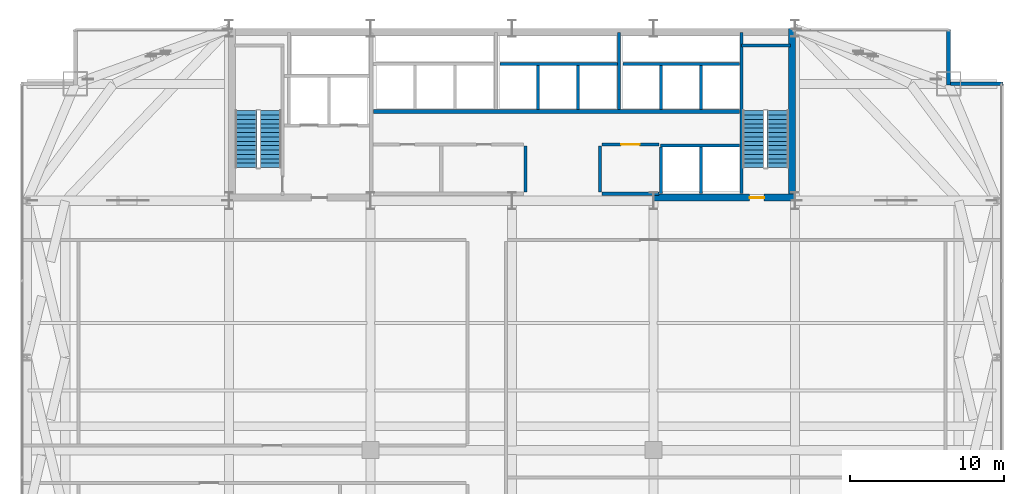
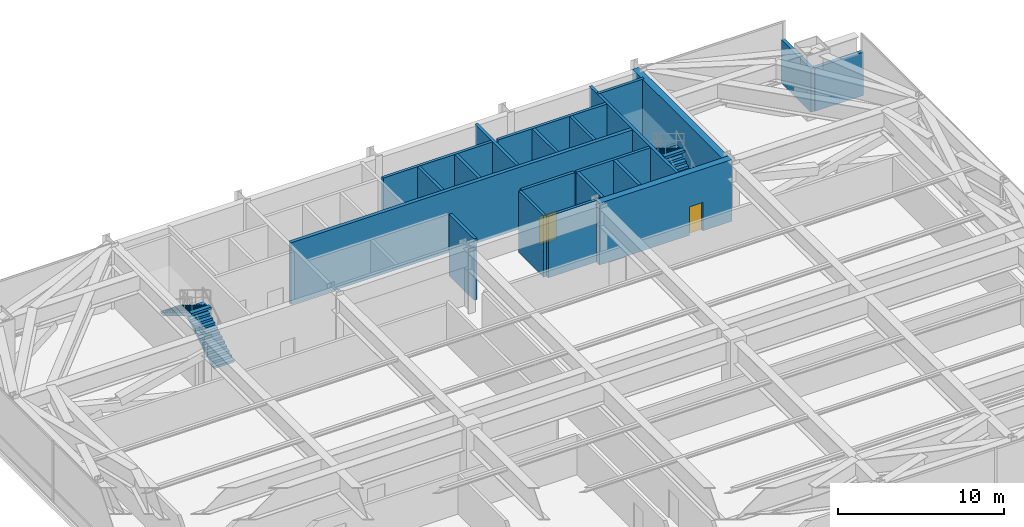
# One storey, part 29 of 30: 21 walls, 4 stair flights, 2 doors, 2 openings, 2 elements without a shape of their own.
"""IFC4 building model written with IfcOpenShell, lengths in metres."""

from ifc_helpers import new_model, si_unit, direction, frame, frame_2d, origin, place, context, subcontext, project, spatial, polyline, rectangle, outline, extrude, source, transform, mapped, material, layer, layer_set, type_object, type_shapes, element, fill, aggregate, save


model = new_model("IFC4")

# Units and contexts
model_context = context("Model", 3, precision=1e-05, world=origin(), true_north=direction((0.0, 1.0)))
body_context = subcontext(model_context, "Body", "Model", "MODEL_VIEW")
ifc_project = project(units=[si_unit("LENGTHUNIT", "METRE"), si_unit("AREAUNIT", "SQUARE_METRE"), si_unit("VOLUMEUNIT", "CUBIC_METRE"), si_unit("PLANEANGLEUNIT", "RADIAN"), si_unit("MASSUNIT", "GRAM", prefix="KILO")], contexts=[model_context])

# Site, building, storey
site_placement = place(None, origin())
site = spatial("IfcSite", under=ifc_project, at=site_placement, CompositionType="ELEMENT")
building_placement = place(site_placement, origin())
building = spatial("IfcBuilding", under=site, at=building_placement, Name="Varnel Quay Broadcast Tower", CompositionType="ELEMENT")
storey_placement = place(building_placement, frame((0.0, 0.0, 82.199951171875)))
storey = spatial("IfcBuildingStorey", under=building, at=storey_placement, Name="L19", CompositionType="ELEMENT", Elevation=82.199951171875)

# Walls
ifc_material_1 = material(Name="Concrete CSA A23.3 C50/60", Category="concrete")
ifc_layer_1 = layer(ifc_material_1, 0.199951171875, Name="Concrete CSA A23.3 C50/60")
ifc_layer_set_1 = layer_set([ifc_layer_1], Name="Concrete CSA A23.3 C50/60")
wall_type_1 = type_object("IfcWallType", Name="Wall_CoreShaftShear200", PredefinedType="SHEAR", material=ifc_layer_set_1)
wall_1_placement = place(storey_placement, frame((48.919921875, 36.050048828125, 0.0), z_axis=(0.0, 0.0, 1.0), x_axis=(0.0, 1.0, 0.0)))
element("IfcWall", 1, at=wall_1_placement, inside=storey, type_object=wall_type_1, Name="L19 Stair 2 West Structural Wall", PredefinedType="SHEAR", context=body_context, shape_type="SweptSolid", body=[
    extrude(rectangle(XDim=10.5, YDim=0.199951171875, at=frame_2d((5.25, 0.0))), origin(), (0.0, 0.0, 1.0), 4.550048828125),
])
wall_2_placement = place(storey_placement, frame((48.919921875, 45.679931640625, 0.0), z_axis=(0.0, 0.0, 1.0), x_axis=(1.0, 0.0, 0.0)))
element("IfcWall", 2, at=wall_2_placement, inside=storey, type_object=wall_type_1, Name="L19 Stair 2 North Structural Wall", PredefinedType="SHEAR", context=body_context, shape_type="SweptSolid", body=[
    extrude(rectangle(XDim=3.18017578125, YDim=0.199951171875, at=frame_2d((1.590087890625, 0.0))), origin(), (0.0, 0.0, 1.0), 4.550048828125),
])
wall_3_placement = place(storey_placement, frame((33.219970703125, 44.5, 0.0), z_axis=(0.0, 0.0, 1.0), x_axis=(1.0, 0.0, 0.0)))
element("IfcWall", 3, at=wall_3_placement, inside=storey, type_object=wall_type_1, Name="L19 Mid-Rise Lift Shaft Rear Wall", PredefinedType="SHEAR", context=body_context, shape_type="SweptSolid", body=[
    extrude(rectangle(XDim=7.630126953125, YDim=0.199951171875, at=frame_2d((3.81494140625, 0.0))), origin(), (0.0, 0.0, 1.0), 4.550048828125),
])
for number, where, z_axis, x_axis, name in (
    (4, (35.699951171875, 41.530029296875, 0.0), (0.0, 0.0, 1.0), (0.0, 1.0, 0.0), "L19 Mid-Rise Lift Shaft Divider 2"),
    (5, (38.300048828125, 41.530029296875, 0.0), (0.0, 0.0, 1.0), (0.0, 1.0, 0.0), "L19 Mid-Rise Lift Shaft Divider 3"),
):
    element("IfcWall", number, at=place(storey_placement, frame(where, z_axis=z_axis, x_axis=x_axis)), inside=storey, type_object=wall_type_1, Name=name, PredefinedType="SHEAR", context=body_context, shape_type="SweptSolid", body=[
        extrude(rectangle(XDim=2.869873046875, YDim=0.199951171875, at=frame_2d((1.43505859375, 0.0))), origin(), (0.0, 0.0, 1.0), 4.550048828125),
    ])
wall_4_placement = place(storey_placement, frame((40.949951171875, 41.530029296875, 0.0), z_axis=(0.0, 0.0, 1.0), x_axis=(0.0, 1.0, 0.0)))
element("IfcWall", 6, at=wall_4_placement, inside=storey, type_object=wall_type_1, Name="L19 Mid-Rise Lift Shaft Divider 4", PredefinedType="SHEAR", context=body_context, shape_type="SweptSolid", body=[
    extrude(rectangle(XDim=5.02001953125, YDim=0.199951171875, at=frame_2d((2.510009765625, 0.0))), origin(), (0.0, 0.0, 1.0), 4.550048828125),
])
wall_5_placement = place(storey_placement, frame((41.219970703125, 44.5, 0.0), z_axis=(0.0, 0.0, 1.0), x_axis=(1.0, 0.0, 0.0)))
element("IfcWall", 7, at=wall_5_placement, inside=storey, type_object=wall_type_1, Name="L19 High-Rise Lift Shaft Rear Wall", PredefinedType="SHEAR", context=body_context, shape_type="SweptSolid", body=[
    extrude(rectangle(XDim=7.580078125, YDim=0.199951171875, at=frame_2d((3.7900390625, 0.0))), origin(), (0.0, 0.0, 1.0), 4.550048828125),
])
for number, where, z_axis, x_axis, name in (
    (8, (43.699951171875, 41.530029296875, 0.0), (0.0, 0.0, 1.0), (0.0, 1.0, 0.0), "L19 High-Rise Lift Shaft Divider 2"),
    (9, (46.300048828125, 41.530029296875, 0.0), (0.0, 0.0, 1.0), (0.0, 1.0, 0.0), "L19 High-Rise Lift Shaft Divider 3"),
):
    element("IfcWall", number, at=place(storey_placement, frame(where, z_axis=z_axis, x_axis=x_axis)), inside=storey, type_object=wall_type_1, Name=name, PredefinedType="SHEAR", context=body_context, shape_type="SweptSolid", body=[
        extrude(rectangle(XDim=2.869873046875, YDim=0.199951171875, at=frame_2d((1.43505859375, 0.0))), origin(), (0.0, 0.0, 1.0), 4.550048828125),
    ])
for number, where, z_axis, x_axis, name in (
    (10, (43.699951171875, 36.050048828125, 0.0), (0.0, 0.0, 1.0), (0.0, 1.0, 0.0), "L19 Express Lift Shaft West Wall"),
    (11, (46.300048828125, 36.050048828125, 0.0), (0.0, 0.0, 1.0), (0.0, 1.0, 0.0), "L19 Express Lift Shaft Divider"),
):
    element("IfcWall", number, at=place(storey_placement, frame(where, z_axis=z_axis, x_axis=x_axis)), inside=storey, type_object=wall_type_1, Name=name, PredefinedType="SHEAR", context=body_context, shape_type="SweptSolid", body=[
        extrude(rectangle(XDim=3.050048828125, YDim=0.199951171875, at=frame_2d((1.52490234375, 0.0))), origin(), (0.0, 0.0, 1.0), 4.550048828125),
    ])
wall_6_placement = place(storey_placement, frame((43.64990234375, 39.199951171875, 0.0), z_axis=(0.0, 0.0, 1.0), x_axis=(1.0, 0.0, 0.0)))
element("IfcWall", 12, at=wall_6_placement, inside=storey, type_object=wall_type_1, Name="L19 Express Lift Shaft North Front Wall", PredefinedType="SHEAR", context=body_context, shape_type="SweptSolid", body=[
    extrude(rectangle(XDim=5.150146484375, YDim=0.199951171875, at=frame_2d((2.5751953125, 0.0))), origin(), (0.0, 0.0, 1.0), 4.550048828125),
])
ifc_layer_2 = layer(ifc_material_1, 0.25, Name="Concrete CSA A23.3 C50/60")
ifc_layer_set_2 = layer_set([ifc_layer_2], Name="Concrete CSA A23.3 C50/60")
wall_type_2 = type_object("IfcWallType", Name="Wall_CoreShaftShear250", PredefinedType="SHEAR", material=ifc_layer_set_2)
wall_7_placement = place(storey_placement, frame((24.97998046875, 41.39990234375, 0.0), z_axis=(0.0, 0.0, 1.0), x_axis=(1.0, 0.0, 0.0)))
element("IfcWall", 13, at=wall_7_placement, inside=storey, type_object=wall_type_2, Name="L19 North Lift Bank & Reclaimed Suite Wall", PredefinedType="SHEAR", context=body_context, shape_type="SweptSolid", body=[
    extrude(rectangle(XDim=23.820068359375, YDim=0.25, at=frame_2d((11.91015625, 0.0))), origin(), (0.0, 0.0, 1.0), 4.550048828125),
])
ifc_material_2 = material(Name="Concrete CSA A23.3 C60/75", Category="concrete")
ifc_layer_3 = layer(ifc_material_2, 0.449951171875, Name="Concrete CSA A23.3 C60/75")
ifc_layer_set_3 = layer_set([ifc_layer_3], Name="Concrete CSA A23.3 C60/75")
wall_type_3 = type_object("IfcWallType", Name="Wall_CoreShearInt450", PredefinedType="SHEAR", material=ifc_layer_set_3)
wall_8_placement = place(storey_placement, frame((52.205078125, 35.570068359375, 0.0), z_axis=(0.0, 0.0, 1.0), x_axis=(0.0, 1.0, 0.0)))
element("IfcWall", 14, at=wall_8_placement, inside=storey, type_object=wall_type_3, Name="L19 East Core Shear Wall", PredefinedType="SHEAR", context=body_context, shape_type="SweptSolid", body=[
    extrude(rectangle(XDim=11.22998046875, YDim=0.449951171875, at=frame_2d((5.614990234375, 0.0))), origin(), (0.0, 0.0, 1.0), 4.550048828125),
])

# Wall, opening, door
wall_9_placement = place(storey_placement, frame((43.199951171875, 35.794921875, 0.0), z_axis=(0.0, 0.0, 1.0), x_axis=(1.0, 0.0, 0.0)))
wall_9 = element("IfcWall", 15, at=wall_9_placement, inside=storey, type_object=wall_type_3, Name="L19 South-East Core Shear Wall", PredefinedType="SHEAR", context=body_context, shape_type="SweptSolid", body=[
    extrude(rectangle(XDim=9.22998046875, YDim=0.449951171875, at=frame_2d((4.614990234375, 0.0))), origin(), (0.0, 0.0, 1.0), 4.550048828125),
])
opening_1_placement = place(wall_9_placement, frame((6.25, 0.0, 0.0)))
opening_1 = element("IfcOpeningElement", 16, at=opening_1_placement, cuts=wall_9, Name="Opening D-L19-S2", PredefinedType="OPENING", context=body_context, shape_type="SweptSolid", body=[
    extrude(rectangle(XDim=0.949951171875, YDim=2.10009765625, at=frame_2d((0.47509765625, 1.050048828125))), frame((0.0, 0.23486328125, 0.0), z_axis=(0.0, -1.0, 0.0), x_axis=(1.0, 0.0, 0.0)), (0.0, 0.0, 1.0), 0.469970703125),
])
ifc_material_3 = material(Name="Insulated Fire-Rated Hollow Steel Door", Category="steel")
door_type_1 = type_object("IfcDoorType", Name="Door_FireStair950", OperationType="NOTDEFINED", PredefinedType="DOOR", material=ifc_material_3)
shared_shape_1 = source(origin(), body_context, "Body", "SweptSolid", [
    extrude(rectangle(XDim=0.949951171875, YDim=2.10009765625, at=frame_2d((0.47509765625, 1.050048828125))), frame((0.0, 0.02490234375, 0.0), z_axis=(0.0, -1.0, 0.0), x_axis=(1.0, 0.0, 0.0)), (0.0, 0.0, 1.0), 0.050048828125),
])
type_shapes(door_type_1, [shared_shape_1])
door_1_placement = place(opening_1_placement, origin())
door_1 = element("IfcDoor", 17, at=door_1_placement, inside=storey, type_object=door_type_1, Name="L19 Stair 2 Fire Door", OperationType="SINGLE_SWING_LEFT", OverallHeight=2.10009765625, OverallWidth=0.949951171875, PredefinedType="DOOR", context=body_context, shape_type="MappedRepresentation", body=[
    mapped(shared_shape_1, transform((0.0, 0.0, 0.0), x_axis=(1.0, 0.0, 0.0), y_axis=(0.0, 1.0, 0.0), z_axis=(0.0, 0.0, 1.0), scale=1.0)),
])
fill(opening_1, door_1)

# Walls
ifc_material_4 = material(Name="Precast Architectural Concrete C40/50", Category="concrete")
ifc_layer_4 = layer(ifc_material_4, 0.25, Name="Precast Architectural Concrete C40/50")
ifc_layer_set_4 = layer_set([ifc_layer_4], Name="Precast Architectural Concrete C40/50")
wall_type_4 = type_object("IfcWallType", Name="Wall_ExtTerrace250", PredefinedType="SOLIDWALL", material=ifc_layer_set_4)
wall_10_placement = place(storey_placement, frame((62.530029296875, 43.199951171875, 0.0), z_axis=(0.0, 0.0, 1.0), x_axis=(1.0, 0.0, 0.0)))
element("IfcWall", 18, at=wall_10_placement, inside=storey, type_object=wall_type_4, Name="L19 Mega-Column Notch Cladding Wall NNE1", PredefinedType="SOLIDWALL", context=body_context, shape_type="SweptSolid", body=[
    extrude(rectangle(XDim=3.389892578125, YDim=0.25, at=frame_2d((1.69482421875, 0.0))), origin(), (0.0, 0.0, 1.0), 3.195068359375),
])
wall_11_placement = place(storey_placement, frame((62.39990234375, 43.1201171875, 0.0), z_axis=(0.0, 0.0, 1.0), x_axis=(0.0, 1.0, 0.0)))
element("IfcWall", 19, at=wall_11_placement, inside=storey, type_object=wall_type_4, Name="L19 Mega-Column Notch Cladding Wall NNE2", PredefinedType="SOLIDWALL", context=body_context, shape_type="SweptSolid", body=[
    extrude(rectangle(XDim=3.599853515625, YDim=0.25, at=frame_2d((1.7998046875, 0.0))), origin(), (0.0, 0.0, 1.0), 3.195068359375),
])
ifc_material_5 = material(Name="Concrete Blockwork Fire Enclosure C40/50", Category="masonry")
ifc_layer_5 = layer(ifc_material_5, 0.199951171875, Name="Concrete Blockwork Fire Enclosure C40/50")
ifc_layer_set_5 = layer_set([ifc_layer_5], Name="Concrete Blockwork Fire Enclosure C40/50")
wall_type_5 = type_object("IfcWallType", Name="Wall_FireShaft200", PredefinedType="SOLIDWALL", material=ifc_layer_set_5)
wall_12_placement = place(storey_placement, frame((34.875, 36.14990234375, 0.0), z_axis=(0.0, 0.0, 1.0), x_axis=(0.0, 1.0, 0.0)))
element("IfcWall", 20, at=wall_12_placement, inside=storey, type_object=wall_type_5, Name="L19 Mechanical Staff Washrooms Partition 4", PredefinedType="SOLIDWALL", context=body_context, shape_type="SweptSolid", body=[
    extrude(rectangle(XDim=3.0, YDim=0.199951171875, at=frame_2d((1.5, 0.0))), origin(), (0.0, 0.0, 1.0), 4.530029296875),
])
wall_13_placement = place(storey_placement, frame((39.85009765625, 36.050048828125, 0.0), z_axis=(0.0, 0.0, 1.0), x_axis=(1.0, 0.0, 0.0)))
element("IfcWall", 21, at=wall_13_placement, inside=storey, type_object=wall_type_5, Name="L19 Electrical Sub-Distribution Switchroom Partition 5", PredefinedType="SOLIDWALL", context=body_context, shape_type="SweptSolid", body=[
    extrude(rectangle(XDim=3.699951171875, YDim=0.199951171875, at=frame_2d((1.85009765625, 0.0))), origin(), (0.0, 0.0, 1.0), 4.530029296875),
])

# Wall, opening, door
wall_14_placement = place(storey_placement, frame((39.85009765625, 39.25, 0.0), z_axis=(0.0, 0.0, 1.0), x_axis=(1.0, 0.0, 0.0)))
wall_14 = element("IfcWall", 22, at=wall_14_placement, inside=storey, type_object=wall_type_5, Name="L19 Electrical Sub-Distribution Switchroom Partition 6", PredefinedType="SOLIDWALL", context=body_context, shape_type="SweptSolid", body=[
    extrude(rectangle(XDim=3.699951171875, YDim=0.199951171875, at=frame_2d((1.85009765625, 0.0))), origin(), (0.0, 0.0, 1.0), 4.530029296875),
])
opening_2_placement = place(wall_14_placement, frame((1.25, 0.0, 0.0)))
opening_2 = element("IfcOpeningElement", 23, at=opening_2_placement, cuts=wall_14, Name="Opening D-L19-03", PredefinedType="OPENING", context=body_context, shape_type="SweptSolid", body=[
    extrude(rectangle(XDim=1.199951171875, YDim=2.10009765625, at=frame_2d((0.60009765625, 1.050048828125))), frame((0.0, 0.10986328125, 0.0), z_axis=(0.0, -1.0, 0.0), x_axis=(1.0, 0.0, 0.0)), (0.0, 0.0, 1.0), 0.219970703125),
])
door_type_2 = type_object("IfcDoorType", Name="Door_Plant1200", OperationType="NOTDEFINED", PredefinedType="DOOR", material=ifc_material_3)
shared_shape_2 = source(origin(), body_context, "Body", "SweptSolid", [
    extrude(rectangle(XDim=1.199951171875, YDim=2.10009765625, at=frame_2d((0.60009765625, 1.050048828125))), frame((0.0, 0.02490234375, 0.0), z_axis=(0.0, -1.0, 0.0), x_axis=(1.0, 0.0, 0.0)), (0.0, 0.0, 1.0), 0.050048828125),
])
type_shapes(door_type_2, [shared_shape_2])
door_2_placement = place(opening_2_placement, origin())
door_2 = element("IfcDoor", 24, at=door_2_placement, inside=storey, type_object=door_type_2, Name="L19 Electrical Sub-Distribution Switchroom Door D-L19-03", OperationType="SINGLE_SWING_RIGHT", OverallHeight=2.10009765625, OverallWidth=1.199951171875, PredefinedType="DOOR", context=body_context, shape_type="MappedRepresentation", body=[
    mapped(shared_shape_2, transform((0.0, 0.0, 0.0), x_axis=(1.0, 0.0, 0.0), y_axis=(0.0, 1.0, 0.0), z_axis=(0.0, 0.0, 1.0), scale=1.0)),
])
fill(opening_2, door_2)

# Wall
wall_15_placement = place(storey_placement, frame((39.72509765625, 36.14990234375, 0.0), z_axis=(0.0, 0.0, 1.0), x_axis=(0.0, 1.0, 0.0)))
element("IfcWall", 25, at=wall_15_placement, inside=storey, type_object=wall_type_5, Name="L19 Electrical Sub-Distribution Switchroom Partition 7", PredefinedType="SOLIDWALL", context=body_context, shape_type="SweptSolid", body=[
    extrude(rectangle(XDim=3.0, YDim=0.199951171875, at=frame_2d((1.5, 0.0))), origin(), (0.0, 0.0, 1.0), 4.530029296875),
])

# Stair, stair flights
ifc_material_6 = material(Name="Precast Structural Concrete C40/50", Category="concrete")
stair_type_1 = type_object("IfcStairType", Name="Stair_ST-01", PredefinedType="HALF_TURN_STAIR", material=ifc_material_6)
stair_1_placement = place(storey_placement, origin())
stair_1 = element("IfcStair", 26, at=stair_1_placement, inside=storey, type_object=stair_type_1, Name="L19 West Core Exit Stair 1", PredefinedType="HALF_TURN_STAIR")
stair_flight_type_1 = type_object("IfcStairFlightType", Name="Flight_ST-01", PredefinedType="STRAIGHT", material=ifc_material_6)
stair_flight_1_placement = place(storey_placement, frame((18.300048828125, 37.75, 0.0), z_axis=(0.0, 0.0, 1.0), x_axis=(0.0, 1.0, 0.0)))
stair_flight_1 = element("IfcStairFlight", 27, at=stair_flight_1_placement, type_object=stair_flight_type_1, Name="ST-01 flight 1", NumberOfRisers=14, NumberOfTreads=13, PredefinedType="STRAIGHT", RiserHeight=0.171428571, TreadLength=0.285, context=body_context, shape_type="SweptSolid", body=[
    extrude(outline(polyline([(0.0, 0.0), (0.0, 0.17138671875), (0.284912109375, 0.17138671875), (0.284912109375, 0.3427734375), (0.570068359375, 0.3427734375), (0.570068359375, 0.514404296875), (0.85498046875, 0.514404296875), (0.85498046875, 0.685791015625), (1.139892578125, 0.685791015625), (1.139892578125, 0.857177734375), (1.425048828125, 0.857177734375), (1.425048828125, 1.028564453125), (1.7099609375, 1.028564453125), (1.7099609375, 1.199951171875), (1.9951171875, 1.199951171875), (1.9951171875, 1.371337890625), (2.280029296875, 1.371337890625), (2.280029296875, 1.54296875), (2.56494140625, 1.54296875), (2.56494140625, 1.71435546875), (2.85009765625, 1.71435546875), (2.85009765625, 1.8857421875), (3.135009765625, 1.8857421875), (3.135009765625, 2.05712890625), (3.419921875, 2.05712890625), (3.419921875, 2.228515625), (3.705078125, 2.228515625), (3.705078125, 2.39990234375), (3.705078125, 2.0537109375), (0.290771484375, 0.0), (0.0, 0.0)])), frame((0.0, 0.699951171875, 0.0), z_axis=(0.0, -1.0, 0.0), x_axis=(1.0, 0.0, 0.0)), (0.0, 0.0, 1.0), 1.39990234375),
])
stair_flight_2_placement = place(storey_placement, frame((16.699951171875, 41.455078125, 2.400146484375), z_axis=(0.0, 0.0, 1.0), x_axis=(0.0, -1.0, 0.0)))
stair_flight_2 = element("IfcStairFlight", 28, at=stair_flight_2_placement, type_object=stair_flight_type_1, Name="ST-01 flight 2", NumberOfRisers=14, NumberOfTreads=13, PredefinedType="STRAIGHT", RiserHeight=0.171428571, TreadLength=0.285, context=body_context, shape_type="SweptSolid", body=[
    extrude(outline(polyline([(0.0, 0.0), (0.0, 0.17138671875), (0.284912109375, 0.17138671875), (0.284912109375, 0.3427734375), (0.570068359375, 0.3427734375), (0.570068359375, 0.514404296875), (0.85498046875, 0.514404296875), (0.85498046875, 0.685791015625), (1.139892578125, 0.685791015625), (1.139892578125, 0.857177734375), (1.425048828125, 0.857177734375), (1.425048828125, 1.028564453125), (1.7099609375, 1.028564453125), (1.7099609375, 1.199951171875), (1.9951171875, 1.199951171875), (1.9951171875, 1.371337890625), (2.280029296875, 1.371337890625), (2.280029296875, 1.54296875), (2.56494140625, 1.54296875), (2.56494140625, 1.71435546875), (2.85009765625, 1.71435546875), (2.85009765625, 1.8857421875), (3.135009765625, 1.8857421875), (3.135009765625, 2.05712890625), (3.419921875, 2.05712890625), (3.419921875, 2.228515625), (3.705078125, 2.228515625), (3.705078125, 2.39990234375), (3.705078125, 2.0537109375), (0.290771484375, 0.0), (0.0, 0.0)])), frame((0.0, 0.699951171875, 0.0), z_axis=(0.0, -1.0, 0.0), x_axis=(1.0, 0.0, 0.0)), (0.0, 0.0, 1.0), 1.39990234375),
])
aggregate(stair_1, [stair_flight_1, stair_flight_2])

stair_type_2 = type_object("IfcStairType", Name="Stair_ST-02", PredefinedType="HALF_TURN_STAIR", material=ifc_material_6)
stair_2_placement = place(storey_placement, origin())
stair_2 = element("IfcStair", 29, at=stair_2_placement, inside=storey, type_object=stair_type_2, Name="L19 East Core Exit Stair 2", PredefinedType="HALF_TURN_STAIR")
stair_flight_type_2 = type_object("IfcStairFlightType", Name="Flight_ST-02", PredefinedType="STRAIGHT", material=ifc_material_6)
stair_flight_3_placement = place(storey_placement, frame((51.300048828125, 37.75, 0.0), z_axis=(0.0, 0.0, 1.0), x_axis=(0.0, 1.0, 0.0)))
stair_flight_3 = element("IfcStairFlight", 30, at=stair_flight_3_placement, type_object=stair_flight_type_2, Name="ST-02 flight 1", NumberOfRisers=14, NumberOfTreads=13, PredefinedType="STRAIGHT", RiserHeight=0.171428571, TreadLength=0.285, context=body_context, shape_type="SweptSolid", body=[
    extrude(outline(polyline([(0.0, 0.0), (0.0, 0.17138671875), (0.284912109375, 0.17138671875), (0.284912109375, 0.3427734375), (0.570068359375, 0.3427734375), (0.570068359375, 0.514404296875), (0.85498046875, 0.514404296875), (0.85498046875, 0.685791015625), (1.139892578125, 0.685791015625), (1.139892578125, 0.857177734375), (1.425048828125, 0.857177734375), (1.425048828125, 1.028564453125), (1.7099609375, 1.028564453125), (1.7099609375, 1.199951171875), (1.9951171875, 1.199951171875), (1.9951171875, 1.371337890625), (2.280029296875, 1.371337890625), (2.280029296875, 1.54296875), (2.56494140625, 1.54296875), (2.56494140625, 1.71435546875), (2.85009765625, 1.71435546875), (2.85009765625, 1.8857421875), (3.135009765625, 1.8857421875), (3.135009765625, 2.05712890625), (3.419921875, 2.05712890625), (3.419921875, 2.228515625), (3.705078125, 2.228515625), (3.705078125, 2.39990234375), (3.705078125, 2.0537109375), (0.290771484375, 0.0), (0.0, 0.0)])), frame((0.0, 0.699951171875, 0.0), z_axis=(0.0, -1.0, 0.0), x_axis=(1.0, 0.0, 0.0)), (0.0, 0.0, 1.0), 1.39990234375),
])
stair_flight_4_placement = place(storey_placement, frame((49.699951171875, 41.455078125, 2.400146484375), z_axis=(0.0, 0.0, 1.0), x_axis=(0.0, -1.0, 0.0)))
stair_flight_4 = element("IfcStairFlight", 31, at=stair_flight_4_placement, type_object=stair_flight_type_2, Name="ST-02 flight 2", NumberOfRisers=14, NumberOfTreads=13, PredefinedType="STRAIGHT", RiserHeight=0.171428571, TreadLength=0.285, context=body_context, shape_type="SweptSolid", body=[
    extrude(outline(polyline([(0.0, 0.0), (0.0, 0.17138671875), (0.284912109375, 0.17138671875), (0.284912109375, 0.3427734375), (0.570068359375, 0.3427734375), (0.570068359375, 0.514404296875), (0.85498046875, 0.514404296875), (0.85498046875, 0.685791015625), (1.139892578125, 0.685791015625), (1.139892578125, 0.857177734375), (1.425048828125, 0.857177734375), (1.425048828125, 1.028564453125), (1.7099609375, 1.028564453125), (1.7099609375, 1.199951171875), (1.9951171875, 1.199951171875), (1.9951171875, 1.371337890625), (2.280029296875, 1.371337890625), (2.280029296875, 1.54296875), (2.56494140625, 1.54296875), (2.56494140625, 1.71435546875), (2.85009765625, 1.71435546875), (2.85009765625, 1.8857421875), (3.135009765625, 1.8857421875), (3.135009765625, 2.05712890625), (3.419921875, 2.05712890625), (3.419921875, 2.228515625), (3.705078125, 2.228515625), (3.705078125, 2.39990234375), (3.705078125, 2.0537109375), (0.290771484375, 0.0), (0.0, 0.0)])), frame((0.0, 0.699951171875, 0.0), z_axis=(0.0, -1.0, 0.0), x_axis=(1.0, 0.0, 0.0)), (0.0, 0.0, 1.0), 1.39990234375),
])
aggregate(stair_2, [stair_flight_3, stair_flight_4])

save(model, "model.ifc")
